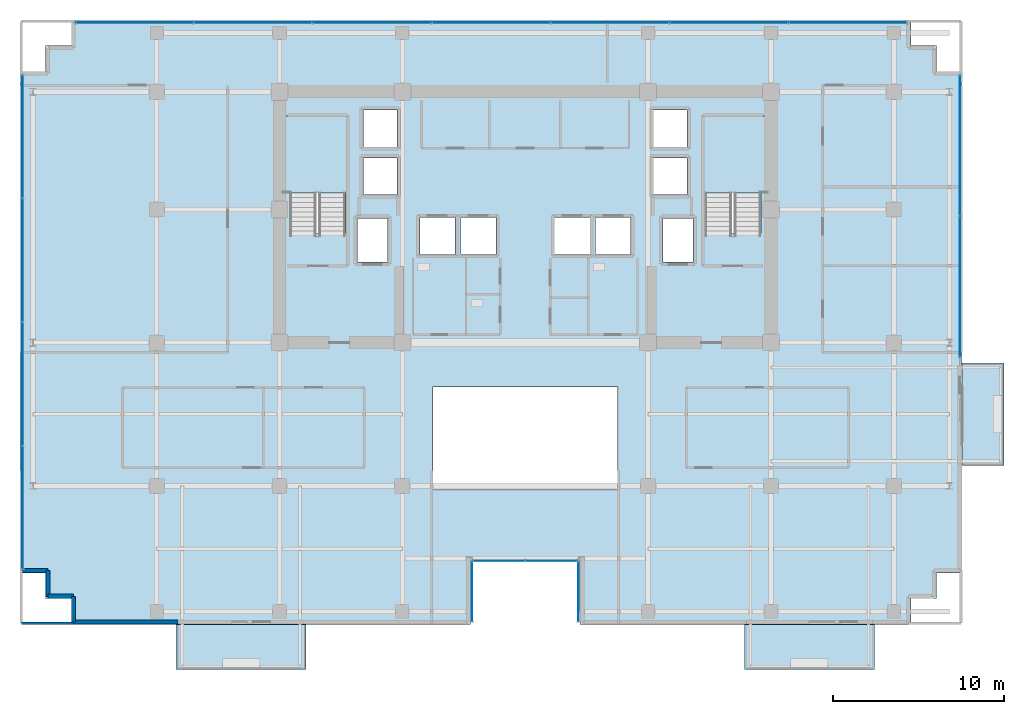
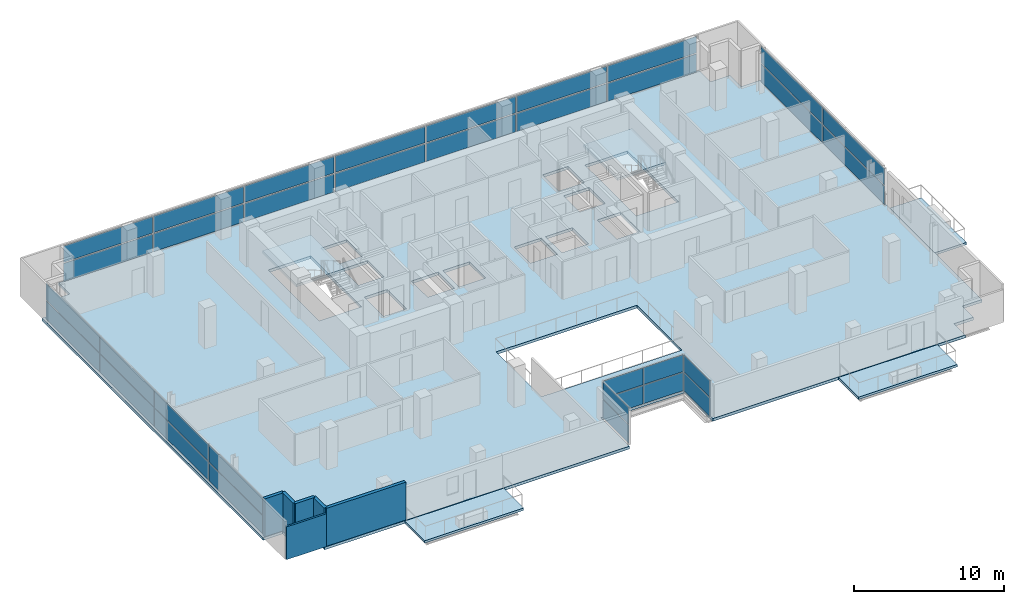
# One storey, part 18 of 25: 34 plates, 6 slabs, 6 walls, 8 elements without a shape of their own.
"""IFC4 building model written with IfcOpenShell, lengths in metres."""

from ifc_helpers import new_model, si_unit, direction, frame, frame_2d, origin, origin_2d, place, context, subcontext, project, spatial, polyline, rectangle, outline, extrude, source, transform, mapped, material, layer, layer_set, type_object, element, aggregate, save


model = new_model("IFC4")

# Units and contexts
model_context = context("Model", 3, precision=1e-05, world=origin(), true_north=direction((0.0, 1.0)))
body_context = subcontext(model_context, "Body", "Model", "MODEL_VIEW")
ifc_project = project(units=[si_unit("LENGTHUNIT", "METRE"), si_unit("AREAUNIT", "SQUARE_METRE"), si_unit("VOLUMEUNIT", "CUBIC_METRE"), si_unit("PLANEANGLEUNIT", "RADIAN"), si_unit("MASSUNIT", "GRAM", prefix="KILO")], contexts=[model_context])

# Site, building, storey
site_placement = place(None, origin())
site = spatial("IfcSite", under=ifc_project, at=site_placement, CompositionType="ELEMENT")
building_placement = place(site_placement, origin())
building = spatial("IfcBuilding", under=site, at=building_placement, Name="Zarnakvel Exchange Tower", CompositionType="ELEMENT")
storey_placement = place(building_placement, frame((0.0, 0.0, 93.39990234375)))
storey = spatial("IfcBuildingStorey", under=building, at=storey_placement, Name="L25", CompositionType="ELEMENT", Elevation=93.39990234375)

# Stair, slab
ifc_material_1 = material(Name="Concrete C40/50", Category="concrete")
stair_type = type_object("IfcStairType", Name="STR-01", PredefinedType="HALF_TURN_STAIR", material=ifc_material_1)
stair_1_placement = place(storey_placement, origin())
stair_1 = element("IfcStair", 1, at=stair_1_placement, inside=storey, type_object=stair_type, Name="L25 Protected Core Exit Stair ST-01", PredefinedType="HALF_TURN_STAIR")
ifc_layer_1 = layer(ifc_material_1, 0.199951171875)
ifc_layer_set_1 = layer_set([ifc_layer_1], Name="Concrete C40/50")
slab_type_1 = type_object("IfcSlabType", Name="LDG-01", PredefinedType="LANDING", material=ifc_layer_set_1)
slab_1_placement = place(storey_placement, frame((0.0, 0.0, 1.4501953125)))
slab_1 = element("IfcSlab", 2, at=slab_1_placement, type_object=slab_type_1, Name="ST-01 landing 1", PredefinedType="LANDING", context=body_context, shape_type="SweptSolid", body=[
    extrude(outline(polyline([(-14.18994140625, 7.570068359375), (-10.4599609375, 7.570068359375), (-10.4599609375, 12.080078125), (-14.18994140625, 12.080078125), (-14.18994140625, 7.570068359375)])), origin(), (0.0, 0.0, 1.0), 0.199951171875),
])
aggregate(stair_1, [slab_1])

stair_2_placement = place(storey_placement, origin())
stair_2 = element("IfcStair", 3, at=stair_2_placement, inside=storey, type_object=stair_type, Name="L25 Protected Core Exit Stair ST-02", PredefinedType="HALF_TURN_STAIR")
slab_2_placement = place(storey_placement, frame((0.0, 0.0, 1.4501953125)))
slab_2 = element("IfcSlab", 4, at=slab_2_placement, type_object=slab_type_1, Name="ST-02 landing 1", PredefinedType="LANDING", context=body_context, shape_type="SweptSolid", body=[
    extrude(outline(polyline([(10.4599609375, 7.570068359375), (14.18994140625, 7.570068359375), (14.18994140625, 12.080078125), (10.4599609375, 12.080078125), (10.4599609375, 7.570068359375)])), origin(), (0.0, 0.0, 1.0), 0.199951171875),
])
aggregate(stair_2, [slab_2])

# Slabs
ifc_layer_2 = layer(ifc_material_1, 0.22509765625)
ifc_layer_set_2 = layer_set([ifc_layer_2], Name="Concrete C40/50")
slab_type_2 = type_object("IfcSlabType", Name="SL-04", PredefinedType="FLOOR", material=ifc_layer_set_2)
slab_3_placement = place(storey_placement, frame((0.0, 0.0, -0.224853515625)))
element("IfcSlab", 5, at=slab_3_placement, inside=storey, type_object=slab_type_2, Name="L25 Primary Structural Floor Slab", PredefinedType="FLOOR", context=body_context, shape_type="SweptSolid", body=[
    extrude(outline(polyline([(-29.60009765625, -14.699951171875), (-28.10009765625, -14.699951171875), (-28.10009765625, -16.199951171875), (-26.60009765625, -16.199951171875), (-26.60009765625, -17.699951171875), (-3.199951171875, -17.699951171875), (-3.199951171875, -13.89990234375), (3.199951171875, -13.89990234375), (3.199951171875, -17.699951171875), (22.60009765625, -17.699951171875), (22.60009765625, -16.199951171875), (24.10009765625, -16.199951171875), (24.10009765625, -14.699951171875), (25.60009765625, -14.699951171875), (25.60009765625, 14.699951171875), (24.10009765625, 14.699951171875), (24.10009765625, 16.199951171875), (22.60009765625, 16.199951171875), (22.60009765625, 17.699951171875), (-26.60009765625, 17.699951171875), (-26.60009765625, 16.199951171875), (-28.10009765625, 16.199951171875), (-28.10009765625, 14.699951171875), (-29.60009765625, 14.699951171875), (-29.60009765625, -14.699951171875)]), holes=[polyline([(-5.39990234375, -9.800048828125), (5.39990234375, -9.800048828125), (5.39990234375, -3.800048828125), (-5.39990234375, -3.800048828125), (-5.39990234375, -9.800048828125)]), polyline([(-13.800048828125, 5.2099609375), (-10.5400390625, 5.2099609375), (-10.5400390625, 12.0), (-13.800048828125, 12.0), (-13.800048828125, 5.2099609375)]), polyline([(10.5400390625, 5.2099609375), (13.800048828125, 5.2099609375), (13.800048828125, 12.0), (10.5400390625, 12.0), (10.5400390625, 5.2099609375)]), polyline([(-9.830078125, 3.52001953125), (-8.070068359375, 3.52001953125), (-8.070068359375, 6.080078125), (-9.830078125, 6.080078125), (-9.830078125, 3.52001953125)]), polyline([(8.070068359375, 3.52001953125), (9.830078125, 3.52001953125), (9.830078125, 6.080078125), (8.070068359375, 6.080078125), (8.070068359375, 3.52001953125)]), polyline([(-6.179931640625, 3.969970703125), (-4.1201171875, 3.969970703125), (-4.1201171875, 6.1298828125), (-6.179931640625, 6.1298828125), (-6.179931640625, 3.969970703125)]), polyline([(-3.780029296875, 3.969970703125), (-1.719970703125, 3.969970703125), (-1.719970703125, 6.1298828125), (-3.780029296875, 6.1298828125), (-3.780029296875, 3.969970703125)]), polyline([(1.719970703125, 3.969970703125), (3.780029296875, 3.969970703125), (3.780029296875, 6.1298828125), (1.719970703125, 6.1298828125), (1.719970703125, 3.969970703125)]), polyline([(4.1201171875, 3.969970703125), (6.179931640625, 3.969970703125), (6.179931640625, 6.1298828125), (4.1201171875, 6.1298828125), (4.1201171875, 3.969970703125)]), polyline([(-9.47998046875, 7.469970703125), (-7.52001953125, 7.469970703125), (-7.52001953125, 9.6298828125), (-9.47998046875, 9.6298828125), (-9.47998046875, 7.469970703125)]), polyline([(-9.47998046875, 10.27001953125), (-7.52001953125, 10.27001953125), (-7.52001953125, 12.429931640625), (-9.47998046875, 12.429931640625), (-9.47998046875, 10.27001953125)]), polyline([(7.52001953125, 7.469970703125), (9.47998046875, 7.469970703125), (9.47998046875, 9.6298828125), (7.52001953125, 9.6298828125), (7.52001953125, 7.469970703125)]), polyline([(7.52001953125, 10.27001953125), (9.47998046875, 10.27001953125), (9.47998046875, 12.429931640625), (7.52001953125, 12.429931640625), (7.52001953125, 10.27001953125)])]), origin(), (0.0, 0.0, 1.0), 0.224853515625),
])
ifc_layer_3 = layer(ifc_material_1, 0.18994140625)
ifc_layer_set_3 = layer_set([ifc_layer_3], Name="Concrete C40/50")
slab_type_3 = type_object("IfcSlabType", Name="SL-08", PredefinedType="USERDEFINED", material=ifc_layer_set_3)
slab_4_placement = place(storey_placement, frame((0.0, 0.0, -0.224853515625)))
element("IfcSlab", 6, at=slab_4_placement, inside=storey, type_object=slab_type_3, Name="L25 Planted Loggia Balcony Slab BAL-L25-SW", ObjectType="BALCONY", PredefinedType="USERDEFINED", context=body_context, shape_type="SweptSolid", body=[
    extrude(outline(polyline([(-20.449951171875, -20.35009765625), (-12.85009765625, -20.35009765625), (-12.85009765625, -17.699951171875), (-20.449951171875, -17.699951171875), (-20.449951171875, -20.35009765625)])), origin(), (0.0, 0.0, 1.0), 0.18994140625),
])
slab_5_placement = place(storey_placement, frame((0.0, 0.0, -0.224853515625)))
element("IfcSlab", 7, at=slab_5_placement, inside=storey, type_object=slab_type_3, Name="L25 Planted Loggia Balcony Slab BAL-L25-SE", ObjectType="BALCONY", PredefinedType="USERDEFINED", context=body_context, shape_type="SweptSolid", body=[
    extrude(outline(polyline([(12.85009765625, -20.35009765625), (20.449951171875, -20.35009765625), (20.449951171875, -17.699951171875), (12.85009765625, -17.699951171875), (12.85009765625, -20.35009765625)])), origin(), (0.0, 0.0, 1.0), 0.18994140625),
])
slab_6_placement = place(storey_placement, frame((0.0, 0.0, -0.224853515625)))
element("IfcSlab", 8, at=slab_6_placement, inside=storey, type_object=slab_type_3, Name="L25 Planted Loggia Balcony Slab BAL-L25-E", ObjectType="BALCONY", PredefinedType="USERDEFINED", context=body_context, shape_type="SweptSolid", body=[
    extrude(outline(polyline([(25.60009765625, -8.39990234375), (28.050048828125, -8.39990234375), (28.050048828125, -2.39990234375), (25.60009765625, -2.39990234375), (25.60009765625, -8.39990234375)])), origin(), (0.0, 0.0, 1.0), 0.18994140625),
])

# Curtain wall, plate
ifc_material_2 = material(Name="Architectural Bronze Anodised Aluminium", Category="aluminium")
ifc_layer_4 = layer(ifc_material_2, 0.179931640625)
ifc_layer_set_4 = layer_set([ifc_layer_4], Name="Architectural Bronze Anodised Aluminium")
curtain_wall_type_1 = type_object("IfcCurtainWallType", Name="CW-05", PredefinedType="NOTDEFINED", material=ifc_layer_set_4)
curtain_wall_1_placement = place(storey_placement, origin())
curtain_wall_1 = element("IfcCurtainWall", 9, at=curtain_wall_1_placement, inside=storey, type_object=curtain_wall_type_1, Name="L25 Curtain Wall CW-L25-SLW (CW-05)", PredefinedType="NOTDEFINED")
ifc_material_3 = material(Name="Double Low-E Laminated Vision Glass", Category="glass")
ifc_layer_5 = layer(ifc_material_3, 0.02587890625)
ifc_layer_set_5 = layer_set([ifc_layer_5], Name="Double Low-E Laminated Vision Glass")
plate_type_1 = type_object("IfcPlateType", Name="CWP-05", PredefinedType="CURTAIN_PANEL", material=ifc_layer_set_5)
shared_shape_1 = source(origin(), body_context, "Body", "SweptSolid", [
    extrude(rectangle(XDim=3.4599609375, YDim=0.02587890625, at=origin_2d()), origin(), (0.0, 0.0, 1.0), 1.483642578125),
])
plate_1_placement = place(storey_placement, frame((-3.1201171875, -15.780029296875, 0.0703125), z_axis=(0.0, 0.0, 1.0), x_axis=(0.0, 1.0, 0.0)))
plate_1 = element("IfcPlate", 10, at=plate_1_placement, type_object=plate_type_1, Name="CW-05 panel 1.1", PredefinedType="CURTAIN_PANEL", context=body_context, shape_type="MappedRepresentation", body=[
    mapped(shared_shape_1, transform((0.0, 0.0, 0.0), x_axis=(1.0, 0.0, 0.0), y_axis=(0.0, 1.0, 0.0), z_axis=(0.0, 0.0, 1.0), scale=1.0)),
])

curtain_wall_2_placement = place(storey_placement, origin())
curtain_wall_2 = element("IfcCurtainWall", 11, at=curtain_wall_2_placement, inside=storey, type_object=curtain_wall_type_1, Name="L25 Curtain Wall CW-L25-SLE (CW-05)", PredefinedType="NOTDEFINED")
plate_2_placement = place(storey_placement, frame((3.1201171875, -15.780029296875, 0.0703125), z_axis=(0.0, 0.0, 1.0), x_axis=(0.0, -1.0, 0.0)))
plate_2 = element("IfcPlate", 12, at=plate_2_placement, type_object=plate_type_1, Name="CW-05 panel 1.1", PredefinedType="CURTAIN_PANEL", context=body_context, shape_type="MappedRepresentation", body=[
    mapped(shared_shape_1, transform((0.0, 0.0, 0.0), x_axis=(1.0, 0.0, 0.0), y_axis=(0.0, 1.0, 0.0), z_axis=(0.0, 0.0, 1.0), scale=1.0)),
])

# Plate
shared_shape_2 = source(origin(), body_context, "Body", "SweptSolid", [
    extrude(rectangle(XDim=3.4599609375, YDim=0.02587890625, at=origin_2d()), origin(), (0.0, 0.0, 1.0), 1.361328125),
])
plate_3_placement = place(storey_placement, frame((-3.1201171875, -15.780029296875, 1.623779296875), z_axis=(0.0, 0.0, 1.0), x_axis=(0.0, 1.0, 0.0)))
plate_3 = element("IfcPlate", 13, at=plate_3_placement, type_object=plate_type_1, Name="CW-05 panel 1.2", PredefinedType="CURTAIN_PANEL", context=body_context, shape_type="MappedRepresentation", body=[
    mapped(shared_shape_2, transform((0.0, 0.0, 0.0), x_axis=(1.0, 0.0, 0.0), y_axis=(0.0, 1.0, 0.0), z_axis=(0.0, 0.0, 1.0), scale=1.0)),
])

aggregate(curtain_wall_1, [plate_1, plate_3])

plate_4_placement = place(storey_placement, frame((3.1201171875, -15.780029296875, 1.623779296875), z_axis=(0.0, 0.0, 1.0), x_axis=(0.0, -1.0, 0.0)))
plate_4 = element("IfcPlate", 14, at=plate_4_placement, type_object=plate_type_1, Name="CW-05 panel 1.2", PredefinedType="CURTAIN_PANEL", context=body_context, shape_type="MappedRepresentation", body=[
    mapped(shared_shape_2, transform((0.0, 0.0, 0.0), x_axis=(1.0, 0.0, 0.0), y_axis=(0.0, 1.0, 0.0), z_axis=(0.0, 0.0, 1.0), scale=1.0)),
])

aggregate(curtain_wall_2, [plate_2, plate_4])

# Curtain wall, plates
curtain_wall_3_placement = place(storey_placement, origin())
curtain_wall_3 = element("IfcCurtainWall", 15, at=curtain_wall_3_placement, inside=storey, type_object=curtain_wall_type_1, Name="L25 Curtain Wall CW-L25-SLB (CW-05)", PredefinedType="NOTDEFINED")
shared_shape_3 = source(origin(), body_context, "Body", "SweptSolid", [
    extrude(rectangle(XDim=3.014892578125, YDim=0.02587890625, at=origin_2d()), origin(), (0.0, 0.0, 1.0), 1.483642578125),
])
plate_5_placement = place(storey_placement, frame((-1.54248046875, -13.97998046875, 0.0703125), z_axis=(0.0, 0.0, 1.0), x_axis=(1.0, 0.0, 0.0)))
plate_5 = element("IfcPlate", 16, at=plate_5_placement, type_object=plate_type_1, Name="CW-05 panel 1.1", PredefinedType="CURTAIN_PANEL", context=body_context, shape_type="MappedRepresentation", body=[
    mapped(shared_shape_3, transform((0.0, 0.0, 0.0), x_axis=(1.0, 0.0, 0.0), y_axis=(0.0, 1.0, 0.0), z_axis=(0.0, 0.0, 1.0), scale=1.0)),
])
plate_6_placement = place(storey_placement, frame((1.54248046875, -13.97998046875, 0.0703125), z_axis=(0.0, 0.0, 1.0), x_axis=(1.0, 0.0, 0.0)))
plate_6 = element("IfcPlate", 17, at=plate_6_placement, type_object=plate_type_1, Name="CW-05 panel 2.1", PredefinedType="CURTAIN_PANEL", context=body_context, shape_type="MappedRepresentation", body=[
    mapped(shared_shape_3, transform((0.0, 0.0, 0.0), x_axis=(1.0, 0.0, 0.0), y_axis=(0.0, 1.0, 0.0), z_axis=(0.0, 0.0, 1.0), scale=1.0)),
])
shared_shape_4 = source(origin(), body_context, "Body", "SweptSolid", [
    extrude(rectangle(XDim=3.014892578125, YDim=0.02587890625, at=origin_2d()), origin(), (0.0, 0.0, 1.0), 1.361328125),
])
plate_7_placement = place(storey_placement, frame((-1.54248046875, -13.97998046875, 1.623779296875), z_axis=(0.0, 0.0, 1.0), x_axis=(1.0, 0.0, 0.0)))
plate_7 = element("IfcPlate", 18, at=plate_7_placement, type_object=plate_type_1, Name="CW-05 panel 1.2", PredefinedType="CURTAIN_PANEL", context=body_context, shape_type="MappedRepresentation", body=[
    mapped(shared_shape_4, transform((0.0, 0.0, 0.0), x_axis=(1.0, 0.0, 0.0), y_axis=(0.0, 1.0, 0.0), z_axis=(0.0, 0.0, 1.0), scale=1.0)),
])
plate_8_placement = place(storey_placement, frame((1.54248046875, -13.97998046875, 1.623779296875), z_axis=(0.0, 0.0, 1.0), x_axis=(1.0, 0.0, 0.0)))
plate_8 = element("IfcPlate", 19, at=plate_8_placement, type_object=plate_type_1, Name="CW-05 panel 2.2", PredefinedType="CURTAIN_PANEL", context=body_context, shape_type="MappedRepresentation", body=[
    mapped(shared_shape_4, transform((0.0, 0.0, 0.0), x_axis=(1.0, 0.0, 0.0), y_axis=(0.0, 1.0, 0.0), z_axis=(0.0, 0.0, 1.0), scale=1.0)),
])
aggregate(curtain_wall_3, [plate_5, plate_7, plate_6, plate_8])

ifc_layer_6 = layer(ifc_material_2, 0.199951171875)
ifc_layer_set_6 = layer_set([ifc_layer_6], Name="Architectural Bronze Anodised Aluminium")
curtain_wall_type_2 = type_object("IfcCurtainWallType", Name="CW-04", PredefinedType="NOTDEFINED", material=ifc_layer_set_6)
curtain_wall_4_placement = place(storey_placement, origin())
curtain_wall_4 = element("IfcCurtainWall", 20, at=curtain_wall_4_placement, inside=storey, type_object=curtain_wall_type_2, Name="L25 Curtain Wall CW-L25-W1 (CW-04)", PredefinedType="NOTDEFINED")
ifc_layer_7 = layer(ifc_material_3, 0.028076171875)
ifc_layer_set_7 = layer_set([ifc_layer_7], Name="Double Low-E Laminated Vision Glass")
plate_type_2 = type_object("IfcPlateType", Name="CWP-04", PredefinedType="CURTAIN_PANEL", material=ifc_layer_set_7)
shared_shape_5 = source(origin(), body_context, "Body", "SweptSolid", [
    extrude(rectangle(XDim=7.137451171875, YDim=0.028076171875, at=origin_2d()), origin(), (0.0, 0.0, 1.0), 1.47607421875),
])
plate_9_placement = place(storey_placement, frame((-29.4599609375, -10.856201171875, 0.0751953125), z_axis=(0.0, 0.0, 1.0), x_axis=(0.0, 1.0, 0.0)))
plate_9 = element("IfcPlate", 21, at=plate_9_placement, type_object=plate_type_2, Name="CW-04 panel 1.1", PredefinedType="CURTAIN_PANEL", context=body_context, shape_type="MappedRepresentation", body=[
    mapped(shared_shape_5, transform((0.0, 0.0, 0.0), x_axis=(1.0, 0.0, 0.0), y_axis=(0.0, 1.0, 0.0), z_axis=(0.0, 0.0, 1.0), scale=1.0)),
])
plate_10_placement = place(storey_placement, frame((-29.4599609375, 10.856201171875, 0.0751953125), z_axis=(0.0, 0.0, 1.0), x_axis=(0.0, 1.0, 0.0)))
plate_10 = element("IfcPlate", 22, at=plate_10_placement, type_object=plate_type_2, Name="CW-04 panel 4.1", PredefinedType="CURTAIN_PANEL", context=body_context, shape_type="MappedRepresentation", body=[
    mapped(shared_shape_5, transform((0.0, 0.0, 0.0), x_axis=(1.0, 0.0, 0.0), y_axis=(0.0, 1.0, 0.0), z_axis=(0.0, 0.0, 1.0), scale=1.0)),
])
shared_shape_6 = source(origin(), body_context, "Body", "SweptSolid", [
    extrude(rectangle(XDim=7.137451171875, YDim=0.028076171875, at=origin_2d()), origin(), (0.0, 0.0, 1.0), 1.35400390625),
])
plate_11_placement = place(storey_placement, frame((-29.4599609375, -10.856201171875, 1.626220703125), z_axis=(0.0, 0.0, 1.0), x_axis=(0.0, 1.0, 0.0)))
plate_11 = element("IfcPlate", 23, at=plate_11_placement, type_object=plate_type_2, Name="CW-04 panel 1.2", PredefinedType="CURTAIN_PANEL", context=body_context, shape_type="MappedRepresentation", body=[
    mapped(shared_shape_6, transform((0.0, 0.0, 0.0), x_axis=(1.0, 0.0, 0.0), y_axis=(0.0, 1.0, 0.0), z_axis=(0.0, 0.0, 1.0), scale=1.0)),
])
plate_12_placement = place(storey_placement, frame((-29.4599609375, 10.856201171875, 1.626220703125), z_axis=(0.0, 0.0, 1.0), x_axis=(0.0, 1.0, 0.0)))
plate_12 = element("IfcPlate", 24, at=plate_12_placement, type_object=plate_type_2, Name="CW-04 panel 4.2", PredefinedType="CURTAIN_PANEL", context=body_context, shape_type="MappedRepresentation", body=[
    mapped(shared_shape_6, transform((0.0, 0.0, 0.0), x_axis=(1.0, 0.0, 0.0), y_axis=(0.0, 1.0, 0.0), z_axis=(0.0, 0.0, 1.0), scale=1.0)),
])
shared_shape_7 = source(origin(), body_context, "Body", "SweptSolid", [
    extrude(rectangle(XDim=7.175048828125, YDim=0.028076171875, at=origin_2d()), origin(), (0.0, 0.0, 1.0), 1.47607421875),
])
plate_13_placement = place(storey_placement, frame((-29.4599609375, -3.625, 0.0751953125), z_axis=(0.0, 0.0, 1.0), x_axis=(0.0, 1.0, 0.0)))
plate_13 = element("IfcPlate", 25, at=plate_13_placement, type_object=plate_type_2, Name="CW-04 panel 2.1", PredefinedType="CURTAIN_PANEL", context=body_context, shape_type="MappedRepresentation", body=[
    mapped(shared_shape_7, transform((0.0, 0.0, 0.0), x_axis=(1.0, 0.0, 0.0), y_axis=(0.0, 1.0, 0.0), z_axis=(0.0, 0.0, 1.0), scale=1.0)),
])
plate_14_placement = place(storey_placement, frame((-29.4599609375, 3.625, 0.0751953125), z_axis=(0.0, 0.0, 1.0), x_axis=(0.0, 1.0, 0.0)))
plate_14 = element("IfcPlate", 26, at=plate_14_placement, type_object=plate_type_2, Name="CW-04 panel 3.1", PredefinedType="CURTAIN_PANEL", context=body_context, shape_type="MappedRepresentation", body=[
    mapped(shared_shape_7, transform((0.0, 0.0, 0.0), x_axis=(1.0, 0.0, 0.0), y_axis=(0.0, 1.0, 0.0), z_axis=(0.0, 0.0, 1.0), scale=1.0)),
])
shared_shape_8 = source(origin(), body_context, "Body", "SweptSolid", [
    extrude(rectangle(XDim=7.175048828125, YDim=0.028076171875, at=origin_2d()), origin(), (0.0, 0.0, 1.0), 1.35400390625),
])
plate_15_placement = place(storey_placement, frame((-29.4599609375, -3.625, 1.626220703125), z_axis=(0.0, 0.0, 1.0), x_axis=(0.0, 1.0, 0.0)))
plate_15 = element("IfcPlate", 27, at=plate_15_placement, type_object=plate_type_2, Name="CW-04 panel 2.2", PredefinedType="CURTAIN_PANEL", context=body_context, shape_type="MappedRepresentation", body=[
    mapped(shared_shape_8, transform((0.0, 0.0, 0.0), x_axis=(1.0, 0.0, 0.0), y_axis=(0.0, 1.0, 0.0), z_axis=(0.0, 0.0, 1.0), scale=1.0)),
])
plate_16_placement = place(storey_placement, frame((-29.4599609375, 3.625, 1.626220703125), z_axis=(0.0, 0.0, 1.0), x_axis=(0.0, 1.0, 0.0)))
plate_16 = element("IfcPlate", 28, at=plate_16_placement, type_object=plate_type_2, Name="CW-04 panel 3.2", PredefinedType="CURTAIN_PANEL", context=body_context, shape_type="MappedRepresentation", body=[
    mapped(shared_shape_8, transform((0.0, 0.0, 0.0), x_axis=(1.0, 0.0, 0.0), y_axis=(0.0, 1.0, 0.0), z_axis=(0.0, 0.0, 1.0), scale=1.0)),
])
aggregate(curtain_wall_4, [plate_9, plate_11, plate_13, plate_15, plate_14, plate_16, plate_10, plate_12])

curtain_wall_5_placement = place(storey_placement, origin())
curtain_wall_5 = element("IfcCurtainWall", 29, at=curtain_wall_5_placement, inside=storey, type_object=curtain_wall_type_2, Name="L25 Curtain Wall CW-L25-EN (CW-04)", PredefinedType="NOTDEFINED")
shared_shape_9 = source(origin(), body_context, "Body", "SweptSolid", [
    extrude(rectangle(XDim=8.1875, YDim=0.028076171875, at=origin_2d()), origin(), (0.0, 0.0, 1.0), 1.47607421875),
])
plate_17_placement = place(storey_placement, frame((25.4599609375, 2.06884765625, 0.0751953125), z_axis=(0.0, 0.0, 1.0), x_axis=(0.0, 1.0, 0.0)))
plate_17 = element("IfcPlate", 30, at=plate_17_placement, type_object=plate_type_2, Name="CW-04 panel 1.1", PredefinedType="CURTAIN_PANEL", context=body_context, shape_type="MappedRepresentation", body=[
    mapped(shared_shape_9, transform((0.0, 0.0, 0.0), x_axis=(1.0, 0.0, 0.0), y_axis=(0.0, 1.0, 0.0), z_axis=(0.0, 0.0, 1.0), scale=1.0)),
])
plate_18_placement = place(storey_placement, frame((25.4599609375, 10.331298828125, 0.0751953125), z_axis=(0.0, 0.0, 1.0), x_axis=(0.0, 1.0, 0.0)))
plate_18 = element("IfcPlate", 31, at=plate_18_placement, type_object=plate_type_2, Name="CW-04 panel 2.1", PredefinedType="CURTAIN_PANEL", context=body_context, shape_type="MappedRepresentation", body=[
    mapped(shared_shape_9, transform((0.0, 0.0, 0.0), x_axis=(1.0, 0.0, 0.0), y_axis=(0.0, 1.0, 0.0), z_axis=(0.0, 0.0, 1.0), scale=1.0)),
])
shared_shape_10 = source(origin(), body_context, "Body", "SweptSolid", [
    extrude(rectangle(XDim=8.1875, YDim=0.028076171875, at=origin_2d()), origin(), (0.0, 0.0, 1.0), 1.35400390625),
])
plate_19_placement = place(storey_placement, frame((25.4599609375, 2.06884765625, 1.626220703125), z_axis=(0.0, 0.0, 1.0), x_axis=(0.0, 1.0, 0.0)))
plate_19 = element("IfcPlate", 32, at=plate_19_placement, type_object=plate_type_2, Name="CW-04 panel 1.2", PredefinedType="CURTAIN_PANEL", context=body_context, shape_type="MappedRepresentation", body=[
    mapped(shared_shape_10, transform((0.0, 0.0, 0.0), x_axis=(1.0, 0.0, 0.0), y_axis=(0.0, 1.0, 0.0), z_axis=(0.0, 0.0, 1.0), scale=1.0)),
])
plate_20_placement = place(storey_placement, frame((25.4599609375, 10.331298828125, 1.626220703125), z_axis=(0.0, 0.0, 1.0), x_axis=(0.0, 1.0, 0.0)))
plate_20 = element("IfcPlate", 33, at=plate_20_placement, type_object=plate_type_2, Name="CW-04 panel 2.2", PredefinedType="CURTAIN_PANEL", context=body_context, shape_type="MappedRepresentation", body=[
    mapped(shared_shape_10, transform((0.0, 0.0, 0.0), x_axis=(1.0, 0.0, 0.0), y_axis=(0.0, 1.0, 0.0), z_axis=(0.0, 0.0, 1.0), scale=1.0)),
])
aggregate(curtain_wall_5, [plate_17, plate_19, plate_18, plate_20])

ifc_layer_8 = layer(ifc_material_2, 0.239990234375)
ifc_layer_set_8 = layer_set([ifc_layer_8], Name="Architectural Bronze Anodised Aluminium")
curtain_wall_type_3 = type_object("IfcCurtainWallType", Name="CW-02", PredefinedType="NOTDEFINED", material=ifc_layer_set_8)
curtain_wall_6_placement = place(storey_placement, origin())
curtain_wall_6 = element("IfcCurtainWall", 34, at=curtain_wall_6_placement, inside=storey, type_object=curtain_wall_type_3, Name="L25 Curtain Wall CW-L25-N1 (CW-02)", PredefinedType="NOTDEFINED")
ifc_layer_9 = layer(ifc_material_3, 0.031982421875)
ifc_layer_set_9 = layer_set([ifc_layer_9], Name="Double Low-E Laminated Vision Glass")
plate_type_3 = type_object("IfcPlateType", Name="CWP-02", PredefinedType="CURTAIN_PANEL", material=ifc_layer_set_9)
shared_shape_11 = source(origin(), body_context, "Body", "SweptSolid", [
    extrude(rectangle(XDim=6.83642578125, YDim=0.031982421875, at=origin_2d()), origin(), (0.0, 0.0, 1.0), 1.461181640625),
])
plate_21_placement = place(storey_placement, frame((-22.891845703125, 17.56005859375, 0.0849609375), z_axis=(0.0, 0.0, 1.0), x_axis=(1.0, 0.0, 0.0)))
plate_21 = element("IfcPlate", 35, at=plate_21_placement, type_object=plate_type_3, Name="CW-02 panel 1.1", PredefinedType="CURTAIN_PANEL", context=body_context, shape_type="MappedRepresentation", body=[
    mapped(shared_shape_11, transform((0.0, 0.0, 0.0), x_axis=(1.0, 0.0, 0.0), y_axis=(0.0, 1.0, 0.0), z_axis=(0.0, 0.0, 1.0), scale=1.0)),
])
plate_22_placement = place(storey_placement, frame((18.891845703125, 17.56005859375, 0.0849609375), z_axis=(0.0, 0.0, 1.0), x_axis=(1.0, 0.0, 0.0)))
plate_22 = element("IfcPlate", 36, at=plate_22_placement, type_object=plate_type_3, Name="CW-02 panel 7.1", PredefinedType="CURTAIN_PANEL", context=body_context, shape_type="MappedRepresentation", body=[
    mapped(shared_shape_11, transform((0.0, 0.0, 0.0), x_axis=(1.0, 0.0, 0.0), y_axis=(0.0, 1.0, 0.0), z_axis=(0.0, 0.0, 1.0), scale=1.0)),
])
shared_shape_12 = source(origin(), body_context, "Body", "SweptSolid", [
    extrude(rectangle(XDim=6.83642578125, YDim=0.031982421875, at=origin_2d()), origin(), (0.0, 0.0, 1.0), 1.3388671875),
])
plate_23_placement = place(storey_placement, frame((-22.891845703125, 17.56005859375, 1.631103515625), z_axis=(0.0, 0.0, 1.0), x_axis=(1.0, 0.0, 0.0)))
plate_23 = element("IfcPlate", 37, at=plate_23_placement, type_object=plate_type_3, Name="CW-02 panel 1.2", PredefinedType="CURTAIN_PANEL", context=body_context, shape_type="MappedRepresentation", body=[
    mapped(shared_shape_12, transform((0.0, 0.0, 0.0), x_axis=(1.0, 0.0, 0.0), y_axis=(0.0, 1.0, 0.0), z_axis=(0.0, 0.0, 1.0), scale=1.0)),
])
plate_24_placement = place(storey_placement, frame((18.891845703125, 17.56005859375, 1.631103515625), z_axis=(0.0, 0.0, 1.0), x_axis=(1.0, 0.0, 0.0)))
plate_24 = element("IfcPlate", 38, at=plate_24_placement, type_object=plate_type_3, Name="CW-02 panel 7.2", PredefinedType="CURTAIN_PANEL", context=body_context, shape_type="MappedRepresentation", body=[
    mapped(shared_shape_12, transform((0.0, 0.0, 0.0), x_axis=(1.0, 0.0, 0.0), y_axis=(0.0, 1.0, 0.0), z_axis=(0.0, 0.0, 1.0), scale=1.0)),
])
shared_shape_13 = source(origin(), body_context, "Body", "SweptSolid", [
    extrude(rectangle(XDim=6.88134765625, YDim=0.031982421875, at=origin_2d()), origin(), (0.0, 0.0, 1.0), 1.461181640625),
])
plate_25_placement = place(storey_placement, frame((-15.94287109375, 17.56005859375, 0.0849609375), z_axis=(0.0, 0.0, 1.0), x_axis=(1.0, 0.0, 0.0)))
plate_25 = element("IfcPlate", 39, at=plate_25_placement, type_object=plate_type_3, Name="CW-02 panel 2.1", PredefinedType="CURTAIN_PANEL", context=body_context, shape_type="MappedRepresentation", body=[
    mapped(shared_shape_13, transform((0.0, 0.0, 0.0), x_axis=(1.0, 0.0, 0.0), y_axis=(0.0, 1.0, 0.0), z_axis=(0.0, 0.0, 1.0), scale=1.0)),
])
plate_26_placement = place(storey_placement, frame((-8.971435546875, 17.56005859375, 0.0849609375), z_axis=(0.0, 0.0, 1.0), x_axis=(1.0, 0.0, 0.0)))
plate_26 = element("IfcPlate", 40, at=plate_26_placement, type_object=plate_type_3, Name="CW-02 panel 3.1", PredefinedType="CURTAIN_PANEL", context=body_context, shape_type="MappedRepresentation", body=[
    mapped(shared_shape_13, transform((0.0, 0.0, 0.0), x_axis=(1.0, 0.0, 0.0), y_axis=(0.0, 1.0, 0.0), z_axis=(0.0, 0.0, 1.0), scale=1.0)),
])
plate_27_placement = place(storey_placement, frame((-2.0, 17.56005859375, 0.0849609375), z_axis=(0.0, 0.0, 1.0), x_axis=(1.0, 0.0, 0.0)))
plate_27 = element("IfcPlate", 41, at=plate_27_placement, type_object=plate_type_3, Name="CW-02 panel 4.1", PredefinedType="CURTAIN_PANEL", context=body_context, shape_type="MappedRepresentation", body=[
    mapped(shared_shape_13, transform((0.0, 0.0, 0.0), x_axis=(1.0, 0.0, 0.0), y_axis=(0.0, 1.0, 0.0), z_axis=(0.0, 0.0, 1.0), scale=1.0)),
])
plate_28_placement = place(storey_placement, frame((4.971435546875, 17.56005859375, 0.0849609375), z_axis=(0.0, 0.0, 1.0), x_axis=(1.0, 0.0, 0.0)))
plate_28 = element("IfcPlate", 42, at=plate_28_placement, type_object=plate_type_3, Name="CW-02 panel 5.1", PredefinedType="CURTAIN_PANEL", context=body_context, shape_type="MappedRepresentation", body=[
    mapped(shared_shape_13, transform((0.0, 0.0, 0.0), x_axis=(1.0, 0.0, 0.0), y_axis=(0.0, 1.0, 0.0), z_axis=(0.0, 0.0, 1.0), scale=1.0)),
])
plate_29_placement = place(storey_placement, frame((11.94287109375, 17.56005859375, 0.0849609375), z_axis=(0.0, 0.0, 1.0), x_axis=(1.0, 0.0, 0.0)))
plate_29 = element("IfcPlate", 43, at=plate_29_placement, type_object=plate_type_3, Name="CW-02 panel 6.1", PredefinedType="CURTAIN_PANEL", context=body_context, shape_type="MappedRepresentation", body=[
    mapped(shared_shape_13, transform((0.0, 0.0, 0.0), x_axis=(1.0, 0.0, 0.0), y_axis=(0.0, 1.0, 0.0), z_axis=(0.0, 0.0, 1.0), scale=1.0)),
])
shared_shape_14 = source(origin(), body_context, "Body", "SweptSolid", [
    extrude(rectangle(XDim=6.88134765625, YDim=0.031982421875, at=origin_2d()), origin(), (0.0, 0.0, 1.0), 1.3388671875),
])
plate_30_placement = place(storey_placement, frame((-15.94287109375, 17.56005859375, 1.631103515625), z_axis=(0.0, 0.0, 1.0), x_axis=(1.0, 0.0, 0.0)))
plate_30 = element("IfcPlate", 44, at=plate_30_placement, type_object=plate_type_3, Name="CW-02 panel 2.2", PredefinedType="CURTAIN_PANEL", context=body_context, shape_type="MappedRepresentation", body=[
    mapped(shared_shape_14, transform((0.0, 0.0, 0.0), x_axis=(1.0, 0.0, 0.0), y_axis=(0.0, 1.0, 0.0), z_axis=(0.0, 0.0, 1.0), scale=1.0)),
])
plate_31_placement = place(storey_placement, frame((-8.971435546875, 17.56005859375, 1.631103515625), z_axis=(0.0, 0.0, 1.0), x_axis=(1.0, 0.0, 0.0)))
plate_31 = element("IfcPlate", 45, at=plate_31_placement, type_object=plate_type_3, Name="CW-02 panel 3.2", PredefinedType="CURTAIN_PANEL", context=body_context, shape_type="MappedRepresentation", body=[
    mapped(shared_shape_14, transform((0.0, 0.0, 0.0), x_axis=(1.0, 0.0, 0.0), y_axis=(0.0, 1.0, 0.0), z_axis=(0.0, 0.0, 1.0), scale=1.0)),
])
plate_32_placement = place(storey_placement, frame((-2.0, 17.56005859375, 1.631103515625), z_axis=(0.0, 0.0, 1.0), x_axis=(1.0, 0.0, 0.0)))
plate_32 = element("IfcPlate", 46, at=plate_32_placement, type_object=plate_type_3, Name="CW-02 panel 4.2", PredefinedType="CURTAIN_PANEL", context=body_context, shape_type="MappedRepresentation", body=[
    mapped(shared_shape_14, transform((0.0, 0.0, 0.0), x_axis=(1.0, 0.0, 0.0), y_axis=(0.0, 1.0, 0.0), z_axis=(0.0, 0.0, 1.0), scale=1.0)),
])
plate_33_placement = place(storey_placement, frame((4.971435546875, 17.56005859375, 1.631103515625), z_axis=(0.0, 0.0, 1.0), x_axis=(1.0, 0.0, 0.0)))
plate_33 = element("IfcPlate", 47, at=plate_33_placement, type_object=plate_type_3, Name="CW-02 panel 5.2", PredefinedType="CURTAIN_PANEL", context=body_context, shape_type="MappedRepresentation", body=[
    mapped(shared_shape_14, transform((0.0, 0.0, 0.0), x_axis=(1.0, 0.0, 0.0), y_axis=(0.0, 1.0, 0.0), z_axis=(0.0, 0.0, 1.0), scale=1.0)),
])
plate_34_placement = place(storey_placement, frame((11.94287109375, 17.56005859375, 1.631103515625), z_axis=(0.0, 0.0, 1.0), x_axis=(1.0, 0.0, 0.0)))
plate_34 = element("IfcPlate", 48, at=plate_34_placement, type_object=plate_type_3, Name="CW-02 panel 6.2", PredefinedType="CURTAIN_PANEL", context=body_context, shape_type="MappedRepresentation", body=[
    mapped(shared_shape_14, transform((0.0, 0.0, 0.0), x_axis=(1.0, 0.0, 0.0), y_axis=(0.0, 1.0, 0.0), z_axis=(0.0, 0.0, 1.0), scale=1.0)),
])
aggregate(curtain_wall_6, [plate_21, plate_23, plate_25, plate_30, plate_26, plate_31, plate_27, plate_32, plate_28, plate_33, plate_29, plate_34, plate_22, plate_24])

# Walls
ifc_material_4 = material(Name="Precast concrete C40/50", Category="concrete")
ifc_layer_10 = layer(ifc_material_4, 0.239990234375)
ifc_layer_set_10 = layer_set([ifc_layer_10], Name="Precast concrete C40/50")
wall_type_1 = type_object("IfcWallType", Name="EW-02", PredefinedType="SOLIDWALL", material=ifc_layer_set_10)
wall_1_placement = place(storey_placement, frame((-26.4599609375, -17.56005859375, 0.0), z_axis=(0.0, 0.0, 1.0), x_axis=(1.0, 0.0, 0.0)))
element("IfcWall", 49, at=wall_1_placement, inside=storey, type_object=wall_type_1, Name="L25 Exterior Precast Spandrel Wall EWC-L25-22 (EW-02)", PredefinedType="SOLIDWALL", context=body_context, shape_type="SweptSolid", body=[
    extrude(rectangle(XDim=6.10986328125, YDim=0.239990234375, at=frame_2d((3.054931640625, 0.0))), origin(), (0.0, 0.0, 1.0), 3.0751953125),
])
for number, where, z_axis, x_axis, name in (
    (50, (-26.4599609375, -16.06005859375, 0.0), (0.0, 0.0, 1.0), (0.0, -1.0, 0.0), "L25 Exterior Precast Spandrel Wall EWC-L25-23 (EW-02)"),
    (51, (-27.9599609375, -16.06005859375, 0.0), (0.0, 0.0, 1.0), (1.0, 0.0, 0.0), "L25 Exterior Precast Spandrel Wall EWC-L25-24 (EW-02)"),
    (52, (-27.9599609375, -14.56005859375, 0.0), (0.0, 0.0, 1.0), (0.0, -1.0, 0.0), "L25 Exterior Precast Spandrel Wall EWC-L25-25 (EW-02)"),
    (53, (-29.4599609375, -14.56005859375, 0.0), (0.0, 0.0, 1.0), (1.0, 0.0, 0.0), "L25 Exterior Precast Spandrel Wall EWC-L25-26 (EW-02)"),
):
    element("IfcWall", number, at=place(storey_placement, frame(where, z_axis=z_axis, x_axis=x_axis)), inside=storey, type_object=wall_type_1, Name=name, PredefinedType="SOLIDWALL", context=body_context, shape_type="SweptSolid", body=[
        extrude(rectangle(XDim=1.5, YDim=0.239990234375, at=frame_2d((0.75, 0.0))), origin(), (0.0, 0.0, 1.0), 3.0751953125),
    ])
ifc_material_5 = material(Name="Fire-Rated Gypsum Stud Partition", Category="gypsum")
ifc_layer_11 = layer(ifc_material_5, 0.14990234375)
ifc_layer_set_11 = layer_set([ifc_layer_11], Name="Fire-Rated Gypsum Stud Partition")
wall_type_2 = type_object("IfcWallType", Name="PT-01", PredefinedType="PARTITIONING", material=ifc_layer_set_11)
wall_2_placement = place(storey_placement, frame((-26.4599609375, -17.6298828125, 0.0), z_axis=(0.0, 0.0, 1.0), x_axis=(-1.0, 0.0, 0.0)))
element("IfcWall", 54, at=wall_2_placement, inside=storey, type_object=wall_type_2, Name="L25 Partition Wall PWALL-L25-040 (PT-01)", PredefinedType="PARTITIONING", context=body_context, shape_type="SweptSolid", body=[
    extrude(rectangle(XDim=3.070068359375, YDim=0.14990234375, at=frame_2d((1.53515625, 0.0))), origin(), (0.0, 0.0, 1.0), 2.6650390625),
])

save(model, "model.ifc")
